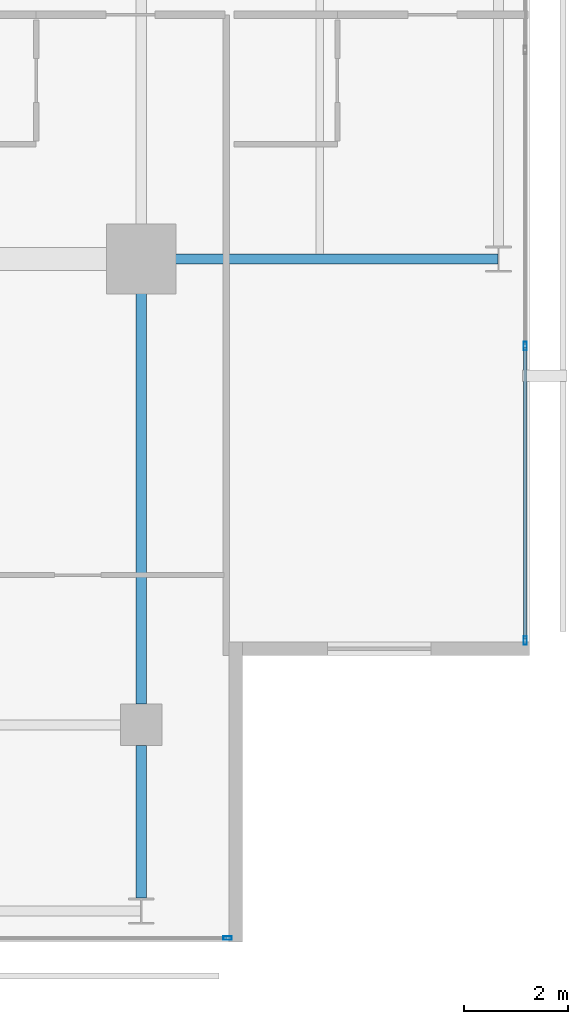
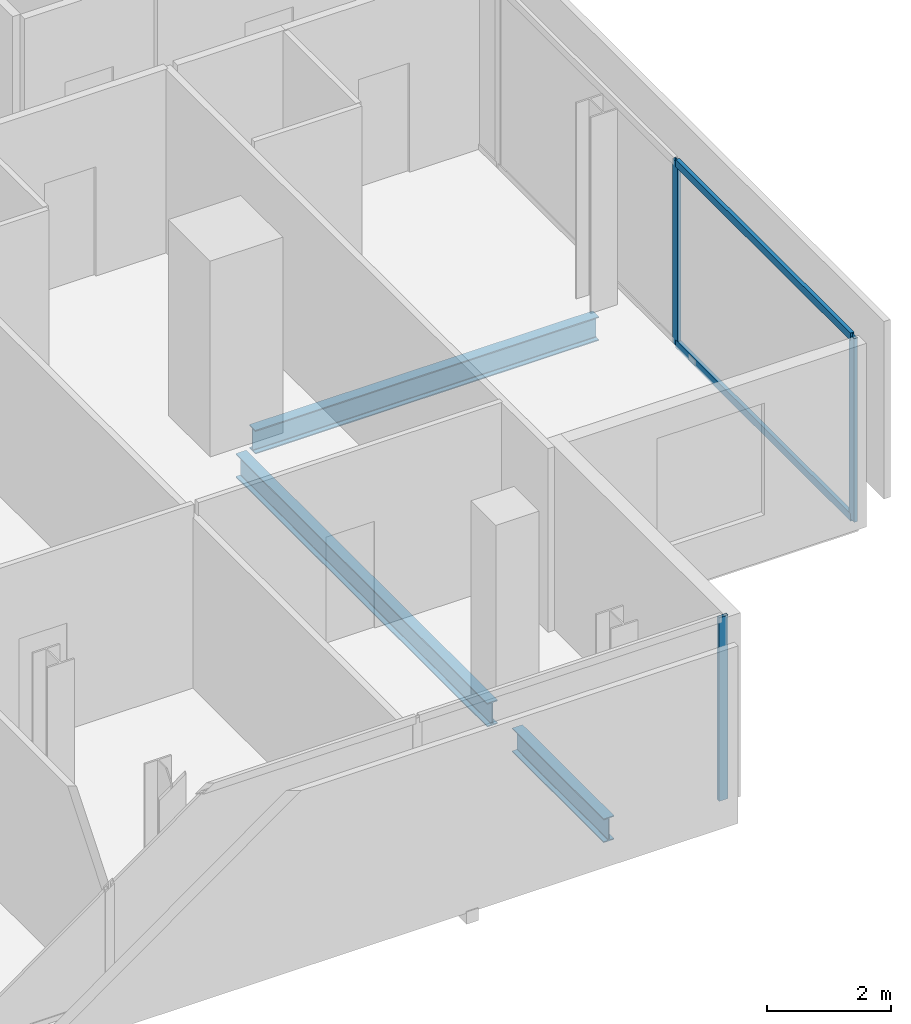
# One storey, part 11 of 24: 5 members, 3 beams, 2 elements without a shape of their own.
"""IFC4 building model written with IfcOpenShell, lengths in metres."""

from ifc_helpers import new_model, si_unit, direction, frame, origin, origin_2d, place, context, subcontext, project, spatial, hollow_rectangle, i_section, extrude, material, layer, layer_set, material_profile, profile_set, type_object, element, aggregate, save


model = new_model("IFC4")

# Units and contexts
model_context = context("Model", 3, precision=1e-05, world=origin(), true_north=direction((0.0, 1.0)))
body_context = subcontext(model_context, "Body", "Model", "MODEL_VIEW")
ifc_project = project(units=[si_unit("LENGTHUNIT", "METRE"), si_unit("AREAUNIT", "SQUARE_METRE"), si_unit("VOLUMEUNIT", "CUBIC_METRE"), si_unit("PLANEANGLEUNIT", "RADIAN"), si_unit("MASSUNIT", "GRAM", prefix="KILO")], contexts=[model_context])

# Site, building, storey
site_placement = place(None, origin())
site = spatial("IfcSite", under=ifc_project, at=site_placement, CompositionType="ELEMENT")
building_placement = place(site_placement, origin())
building = spatial("IfcBuilding", under=site, at=building_placement, Name="Maruvema Waterfront Hotel and Observation Tower", CompositionType="ELEMENT")
storey_placement = place(building_placement, frame((0.0, 0.0, 329.699951171875)))
storey = spatial("IfcBuildingStorey", under=building, at=storey_placement, Name="L81", CompositionType="ELEMENT", Elevation=329.699951171875)

# Curtain wall, members
ifc_material_1 = material(Name="Anodised bronze aluminium and solar-control low-E IGU", Category="aluminium")
ifc_layer = layer(ifc_material_1, 0.159912109375, Name="Zone 4 Sky Residence Inner Curtain Wall System CW-05")
ifc_layer_set = layer_set([ifc_layer], Name="Anodised bronze aluminium and solar-control low-E IGU")
curtain_wall_type = type_object("IfcCurtainWallType", Name="Zone 4 Sky Residence Inner Curtain Wall System CW-05", PredefinedType="USERDEFINED", material=ifc_layer_set)
curtain_wall_1_placement = place(storey_placement, origin())
curtain_wall_1 = element("IfcCurtainWall", 1, at=curtain_wall_1_placement, inside=storey, type_object=curtain_wall_type, Name="L81 Curtain Wall CW-L81-E", ObjectType="UNITISED CURTAIN WALL", PredefinedType="USERDEFINED")
ifc_material_2 = material(Name="Anodised architectural bronze aluminium", Category="aluminium")
ifc_material_profile_1 = material_profile(ifc_material_2, hollow_rectangle(XDim=0.070068359375, YDim=0.14990234375, WallThickness=0.00390625, at=origin_2d()), Name="ALU-T70x150")
ifc_profile_set_1 = profile_set([ifc_material_profile_1], Name="Anodised architectural bronze aluminium")
member_type_1 = type_object("IfcMemberType", Name="Curtain Wall Horizontal Transom ALU-T70x150", PredefinedType="USERDEFINED", material=ifc_profile_set_1)
member_1_placement = place(storey_placement, frame((57.820068359375, 19.659912109375, 0.030029296875), z_axis=(0.0, 1.0, 0.0), x_axis=(-1.0, 0.0, 0.0)))
member_1 = element("IfcMember", 2, at=member_1_placement, type_object=member_type_1, Name="CW-05 transom 1.1", ObjectType="TRANSOM", PredefinedType="USERDEFINED", context=body_context, shape_type="SweptSolid", body=[
    extrude(hollow_rectangle(XDim=0.070068359375, YDim=0.14990234375, WallThickness=0.00390625, at=origin_2d()), origin(), (0.0, 0.0, 1.0), 5.630126953125),
])
member_2_placement = place(storey_placement, frame((57.820068359375, 19.659912109375, 3.580078125), z_axis=(0.0, 1.0, 0.0), x_axis=(-1.0, 0.0, 0.0)))
member_2 = element("IfcMember", 3, at=member_2_placement, type_object=member_type_1, Name="CW-05 transom 1.2", ObjectType="TRANSOM", PredefinedType="USERDEFINED", context=body_context, shape_type="SweptSolid", body=[
    extrude(hollow_rectangle(XDim=0.070068359375, YDim=0.14990234375, WallThickness=0.00390625, at=origin_2d()), origin(), (0.0, 0.0, 1.0), 5.630126953125),
])

# Curtain wall, member
curtain_wall_2_placement = place(storey_placement, origin())
curtain_wall_2 = element("IfcCurtainWall", 4, at=curtain_wall_2_placement, inside=storey, type_object=curtain_wall_type, Name="L81 Curtain Wall CW-L81-S", ObjectType="UNITISED CURTAIN WALL", PredefinedType="USERDEFINED")
ifc_material_3 = material(Name="Anodised architectural bronze aluminium", Category="aluminium")
ifc_material_profile_2 = material_profile(ifc_material_3, hollow_rectangle(XDim=0.06494140625, YDim=0.1650390625, WallThickness=0.00390625, at=origin_2d()), Name="ALU-M65x165")
ifc_profile_set_2 = profile_set([ifc_material_profile_2], Name="Anodised architectural bronze aluminium")
member_type_2 = type_object("IfcMemberType", Name="Curtain Wall Primary Mullion ALU-M65x165", PredefinedType="MULLION", material=ifc_profile_set_2)
member_3_placement = place(storey_placement, frame((52.070068359375, 13.8798828125, 0.0), z_axis=(0.0, 0.0, 1.0), x_axis=(0.0, 1.0, 0.0)))
member_3 = element("IfcMember", 5, at=member_3_placement, type_object=member_type_2, Name="CW-05 mullion 6", PredefinedType="MULLION", context=body_context, shape_type="SweptSolid", body=[
    extrude(hollow_rectangle(XDim=0.06494140625, YDim=0.1650390625, WallThickness=0.00390625, at=origin_2d()), origin(), (0.0, 0.0, 1.0), 3.610107421875),
])
aggregate(curtain_wall_2, [member_3])

# Member
member_4_placement = place(storey_placement, frame((57.820068359375, 19.6298828125, 0.0), z_axis=(0.0, 0.0, 1.0), x_axis=(-1.0, 0.0, 0.0)))
member_4 = element("IfcMember", 6, at=member_4_placement, type_object=member_type_2, Name="CW-05 mullion 1", PredefinedType="MULLION", context=body_context, shape_type="SweptSolid", body=[
    extrude(hollow_rectangle(XDim=0.06494140625, YDim=0.1650390625, WallThickness=0.00390625, at=origin_2d()), origin(), (0.0, 0.0, 1.0), 3.610107421875),
])

member_5_placement = place(storey_placement, frame((57.820068359375, 25.320068359375, 0.0), z_axis=(0.0, 0.0, 1.0), x_axis=(-1.0, 0.0, 0.0)))
member_5 = element("IfcMember", 7, at=member_5_placement, type_object=member_type_2, Name="CW-05 mullion 2", PredefinedType="MULLION", context=body_context, shape_type="SweptSolid", body=[
    extrude(hollow_rectangle(XDim=0.06494140625, YDim=0.1650390625, WallThickness=0.00390625, at=origin_2d()), origin(), (0.0, 0.0, 1.0), 3.610107421875),
])

aggregate(curtain_wall_1, [member_4, member_5, member_1, member_2])

# Beams
ifc_material_4 = material(Name="Steel ASTM A572 Grade 50", Category="steel")
ifc_material_profile_3 = material_profile(ifc_material_4, i_section(OverallWidth=0.194091796875, OverallDepth=0.468994140625, WebThickness=0.0126953125, FlangeThickness=0.0205078125, FilletRadius=0.014892578125, at=origin_2d()), Name="W460x106.0")
ifc_profile_set_3 = profile_set([ifc_material_profile_3], Name="Steel ASTM A572 Grade 50")
beam_type = type_object("IfcBeamType", Name="Primary Floor Girder W460x106.0", PredefinedType="BEAM", material=ifc_profile_set_3)
beam_1_placement = place(storey_placement, frame((50.89990234375, 27.0, -0.474365234375), z_axis=(1.0, 0.0, 0.0), x_axis=(0.0, 1.0, 0.0)))
element("IfcBeam", 8, at=beam_1_placement, inside=storey, type_object=beam_type, Name="L81 Floor Girder EW-09", PredefinedType="BEAM", context=body_context, shape_type="SweptSolid", body=[
    extrude(i_section(OverallWidth=0.194091796875, OverallDepth=0.468994140625, WebThickness=0.0126953125, FlangeThickness=0.0205078125, FilletRadius=0.014892578125, at=origin_2d()), origin(), (0.0, 0.0, 1.0), 6.38916015625),
])
beam_2_placement = place(storey_placement, frame((50.39990234375, 14.64990234375, -0.474365234375), z_axis=(0.0, 1.0, 0.0), x_axis=(-1.0, 0.0, 0.0)))
element("IfcBeam", 9, at=beam_2_placement, inside=storey, type_object=beam_type, Name="L81 Floor Girder NS-11", PredefinedType="BEAM", context=body_context, shape_type="SweptSolid", body=[
    extrude(i_section(OverallWidth=0.194091796875, OverallDepth=0.468994140625, WebThickness=0.0126953125, FlangeThickness=0.0205078125, FilletRadius=0.014892578125, at=origin_2d()), origin(), (0.0, 0.0, 1.0), 2.9501953125),
])
beam_3_placement = place(storey_placement, frame((50.39990234375, 18.39990234375, -0.474365234375), z_axis=(0.0, 1.0, 0.0), x_axis=(-1.0, 0.0, 0.0)))
element("IfcBeam", 10, at=beam_3_placement, inside=storey, type_object=beam_type, Name="L81 Floor Girder NS-12", PredefinedType="BEAM", context=body_context, shape_type="SweptSolid", body=[
    extrude(i_section(OverallWidth=0.194091796875, OverallDepth=0.468994140625, WebThickness=0.0126953125, FlangeThickness=0.0205078125, FilletRadius=0.014892578125, at=origin_2d()), origin(), (0.0, 0.0, 1.0), 8.10009765625),
])

save(model, "model.ifc")
